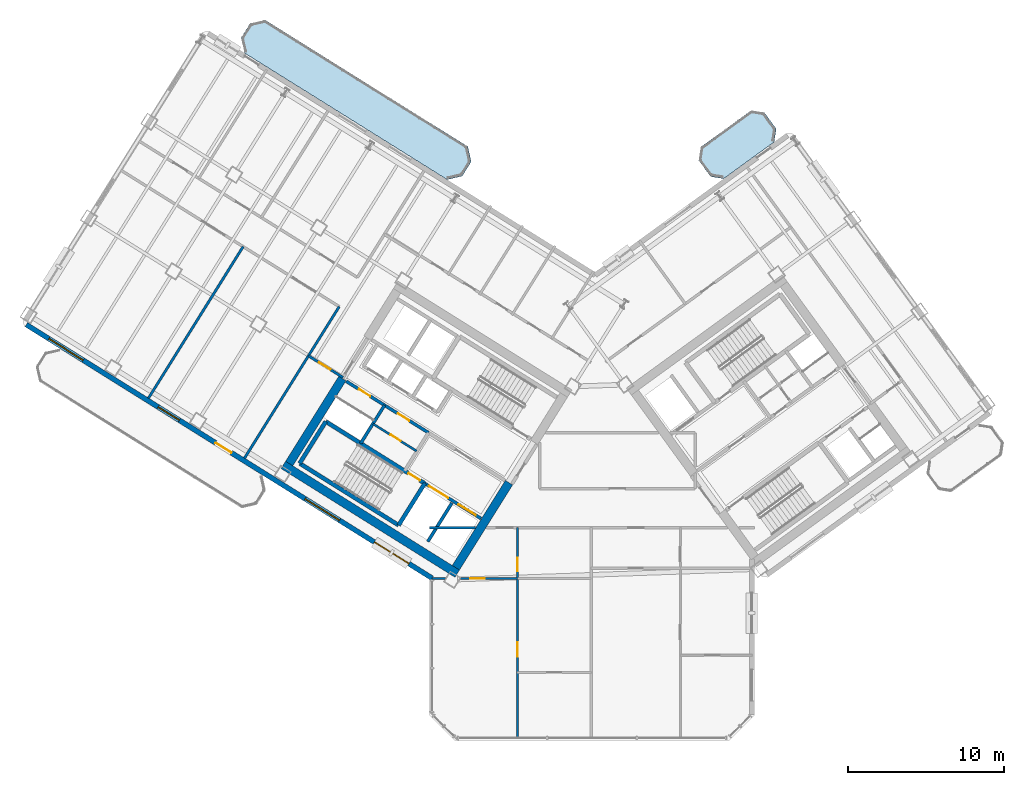
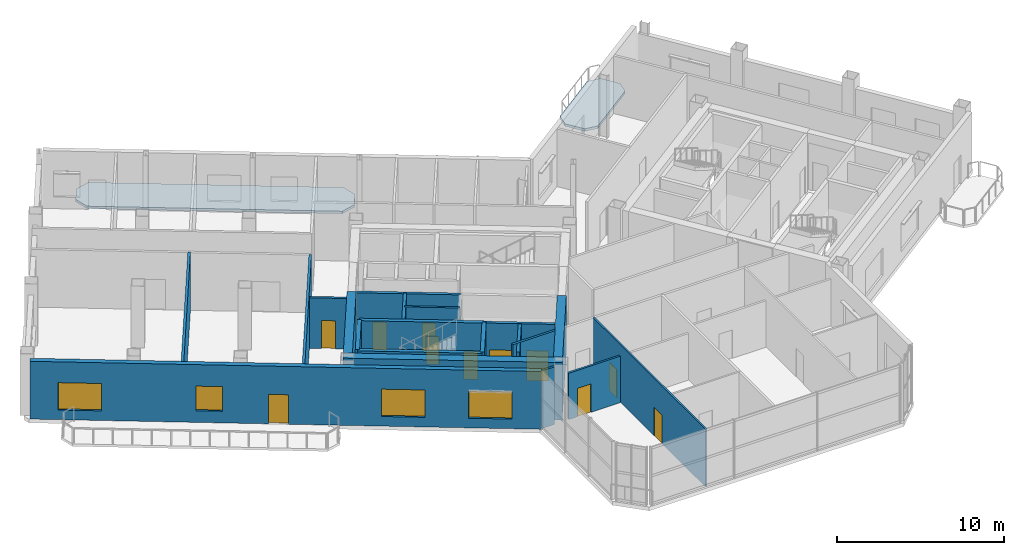
# One storey, part 11 of 20: 20 walls, 11 doors, 4 windows, 2 slabs, 15 openings.
"""IFC4 building model written with IfcOpenShell, lengths in metres."""

from ifc_helpers import new_model, si_unit, direction, frame, frame_2d, origin, place, context, subcontext, project, spatial, polyline, rectangle, outline, extrude, source, transform, mapped, material, layer, layer_set, type_object, element, fill, save


model = new_model("IFC4")

# Units and contexts
model_context = context("Model", 3, precision=1e-05, world=origin(), true_north=direction((0.0, 1.0)))
body_context = subcontext(model_context, "Body", "Model", "MODEL_VIEW")
ifc_project = project(units=[si_unit("LENGTHUNIT", "METRE"), si_unit("AREAUNIT", "SQUARE_METRE"), si_unit("VOLUMEUNIT", "CUBIC_METRE"), si_unit("PLANEANGLEUNIT", "RADIAN"), si_unit("MASSUNIT", "GRAM", prefix="KILO")], contexts=[model_context])

# Site, building, storey
site_placement = place(None, origin())
site = spatial("IfcSite", under=ifc_project, at=site_placement, CompositionType="ELEMENT")
building_placement = place(site_placement, origin())
building = spatial("IfcBuilding", under=site, at=building_placement, Name="Tlacorven Tower", CompositionType="ELEMENT")
storey_placement = place(building_placement, frame((0.0, 0.0, 195.0)))
storey = spatial("IfcBuildingStorey", under=building, at=storey_placement, Name="L49", CompositionType="ELEMENT", Elevation=195.0)

# Slabs
ifc_material_1 = material(Name="Precast concrete C45/55", Category="concrete")
ifc_layer_1 = layer(ifc_material_1, 0.179931640625)
ifc_layer_set_1 = layer_set([ifc_layer_1], Name="Precast concrete C45/55")
slab_type = type_object("IfcSlabType", Name="SL-BAL-180", PredefinedType="USERDEFINED", material=ifc_layer_set_1)
slab_1_placement = place(storey_placement, frame((0.0, 0.0, -0.179931640625)))
element("IfcSlab", 1, at=slab_1_placement, inside=storey, type_object=slab_type, Name="L49 West Wing Balcony Ribbon IN", ObjectType="BALCONY SLAB", PredefinedType="USERDEFINED", context=body_context, shape_type="SweptSolid", body=[
    extrude(outline(polyline([(34.0419921875, 39.835693359375), (21.06689453125, 47.943359375), (20.102294921875, 47.720703125), (19.52197265625, 46.7919921875), (19.744873046875, 45.827392578125), (32.719970703125, 37.7197265625), (33.6845703125, 37.9423828125), (34.2646484375, 38.87109375), (34.0419921875, 39.835693359375)])), origin(), (0.0, 0.0, 1.0), 0.179931640625),
])
slab_2_placement = place(storey_placement, frame((0.0, 0.0, -0.179931640625)))
element("IfcSlab", 2, at=slab_2_placement, inside=storey, type_object=slab_type, Name="L49 East Wing Balcony Ribbon IN", ObjectType="BALCONY SLAB", PredefinedType="USERDEFINED", context=body_context, shape_type="SweptSolid", body=[
    extrude(outline(polyline([(50.433837890625, 37.77880859375), (53.669921875, 40.1298828125), (53.802490234375, 40.968017578125), (53.04150390625, 42.015625), (52.203369140625, 42.1484375), (48.96728515625, 39.79736328125), (48.83447265625, 38.959228515625), (49.595703125, 37.91162109375), (50.433837890625, 37.77880859375)])), origin(), (0.0, 0.0, 1.0), 0.179931640625),
])

# Walls
ifc_material_2 = material(Name="Concrete C60/75", Category="concrete")
ifc_layer_2 = layer(ifc_material_2, 0.550048828125)
ifc_layer_set_2 = layer_set([ifc_layer_2], Name="Concrete C60/75")
wall_type_1 = type_object("IfcWallType", Name="WL-COR-550", PredefinedType="SHEAR", material=ifc_layer_set_2)
wall_1_placement = place(storey_placement, frame((33.3662109375, 12.4765625, 0.0), z_axis=(0.0, 0.0, 1.0), x_axis=(-0.848047359947, 0.529920442413, 0.0)))
element("IfcWall", 3, at=wall_1_placement, inside=storey, type_object=wall_type_1, Name="L49 W core shear wall S2", PredefinedType="SHEAR", context=body_context, shape_type="SweptSolid", body=[
    extrude(rectangle(XDim=13.139892578125, YDim=0.550048828125, at=frame_2d((6.56982421875, 0.0))), origin(), (0.0, 0.0, 1.0), 4.219970703125),
])
wall_2_placement = place(storey_placement, frame((36.683349609375, 18.30419921875, 0.0), z_axis=(0.0, 0.0, 1.0), x_axis=(-0.529896466841, -0.848062341122, 0.0)))
element("IfcWall", 4, at=wall_2_placement, inside=storey, type_object=wall_type_1, Name="L49 W core end wall E1.2", PredefinedType="SHEAR", context=body_context, shape_type="SweptSolid", body=[
    extrude(rectangle(XDim=6.4248046875, YDim=0.550048828125, at=frame_2d((3.21240234375, 0.0))), origin(), (0.0, 0.0, 1.0), 4.219970703125),
])
wall_3_placement = place(storey_placement, frame((26.006591796875, 24.975830078125, 0.0), z_axis=(0.0, 0.0, 1.0), x_axis=(-0.529923795287, -0.848045264823, 0.0)))
element("IfcWall", 5, at=wall_3_placement, inside=storey, type_object=wall_type_1, Name="L49 W core end wall E2.2", PredefinedType="SHEAR", context=body_context, shape_type="SweptSolid", body=[
    extrude(rectangle(XDim=6.425048828125, YDim=0.550048828125, at=frame_2d((3.21240234375, 0.0))), origin(), (0.0, 0.0, 1.0), 4.219970703125),
])

# Wall, opening, door
ifc_material_3 = material(Name="Gypsum plasterboard acoustic partition", Category="gypsum")
ifc_layer_3 = layer(ifc_material_3, 0.159912109375)
ifc_layer_set_3 = layer_set([ifc_layer_3], Name="Gypsum plasterboard acoustic partition")
wall_type_2 = type_object("IfcWallType", Name="WL-DEM-160", PredefinedType="PARTITIONING", material=ifc_layer_set_3)
wall_4_placement = place(storey_placement, frame((26.048828125, 25.043701171875, 0.0), z_axis=(0.0, 0.0, 1.0), x_axis=(-0.848050851465, 0.529914854792, 0.0)))
wall_4 = element("IfcWall", 6, at=wall_4_placement, inside=storey, type_object=wall_type_2, Name="L49 partition 47", PredefinedType="PARTITIONING", context=body_context, shape_type="SweptSolid", body=[
    extrude(rectangle(XDim=2.60986328125, YDim=0.159912109375, at=frame_2d((1.304931640625, 0.0))), origin(), (0.0, 0.0, 1.0), 3.695068359375),
])
opening_1_placement = place(wall_4_placement, frame((0.949951171875, 0.0, 0.0)))
opening_1 = element("IfcOpeningElement", 7, at=opening_1_placement, cuts=wall_4, Name="Opening D19", PredefinedType="OPENING", context=body_context, shape_type="SweptSolid", body=[
    extrude(rectangle(XDim=0.860107421875, YDim=2.050048828125, at=frame_2d((0.43017578125, 1.02490234375))), frame((0.0, 0.08984375, 0.0), z_axis=(0.0, -1.0, 0.0), x_axis=(1.0, 0.0, 0.0)), (0.0, 0.0, 1.0), 0.179931640625),
])
ifc_material_4 = material(Name="Fire-rated steel door assembly", Category="steel")
door_type_1 = type_object("IfcDoorType", Name="DR-RSR-FD60-0860", OperationType="NOTDEFINED", PredefinedType="DOOR", material=ifc_material_4)
shared_shape_1 = source(origin(), body_context, "Body", "SweptSolid", [
    extrude(rectangle(XDim=0.860107421875, YDim=2.050048828125, at=frame_2d((0.43017578125, 1.02490234375))), frame((0.0, 0.02490234375, 0.0), z_axis=(0.0, -1.0, 0.0), x_axis=(1.0, 0.0, 0.0)), (0.0, 0.0, 1.0), 0.050048828125),
])
door_1_placement = place(opening_1_placement, origin())
door_1 = element("IfcDoor", 8, at=door_1_placement, inside=storey, type_object=door_type_1, Name="L49 door 023", OperationType="SINGLE_SWING_RIGHT", OverallHeight=2.050048828125, OverallWidth=0.860107421875, PredefinedType="DOOR", context=body_context, shape_type="MappedRepresentation", body=[
    mapped(shared_shape_1, transform((0.0, 0.0, 0.0), scale=1.0)),
])
fill(opening_1, door_1)

# Walls
for number, where, z_axis, x_axis, name in (
    (9, (25.806884765625, 29.58154296875, 0.0), (0.0, 0.0, 1.0), (-0.529920357077, -0.848047413271, 0.0), "L49 partition 49"),
    (10, (19.654296875, 33.426025390625, 0.0), (0.0, 0.0, 1.0), (-0.529920357077, -0.848047413271, 0.0), "L49 partition 53"),
):
    element("IfcWall", number, at=place(storey_placement, frame(where, z_axis=z_axis, x_axis=x_axis)), inside=storey, type_object=wall_type_2, Name=name, PredefinedType="PARTITIONING", context=body_context, shape_type="SweptSolid", body=[
        extrude(rectangle(XDim=11.4501953125, YDim=0.159912109375, at=frame_2d((5.72509765625, 0.0))), origin(), (0.0, 0.0, 1.0), 4.2099609375),
    ])
wall_5_placement = place(storey_placement, frame((31.60009765625, 15.419921875, 0.0), z_axis=(0.0, 0.0, 1.0), x_axis=(1.0, 0.0, 0.0)))
element("IfcWall", 11, at=wall_5_placement, inside=storey, type_object=wall_type_2, Name="L49 Knuckle Corridor South Wall", PredefinedType="PARTITIONING", context=body_context, shape_type="SweptSolid", body=[
    extrude(rectangle(XDim=2.925048828125, YDim=0.159912109375, at=frame_2d((1.46240234375, 0.0))), origin(), (0.0, 0.0, 1.0), 4.2099609375),
])

# Wall, openings, door, windows
ifc_layer_4 = layer(ifc_material_1, 0.320068359375)
ifc_layer_set_4 = layer_set([ifc_layer_4], Name="Precast concrete C45/55")
wall_type_3 = type_object("IfcWallType", Name="WL-EXT-320", PredefinedType="STANDARD", material=ifc_layer_set_4)
wall_6_placement = place(storey_placement, frame((31.760009765625, 12.18310546875, 0.0), z_axis=(0.0, 0.0, 1.0), x_axis=(-0.848047074256, 0.529920899612, 0.0)))
wall_6 = element("IfcWall", 12, at=wall_6_placement, inside=storey, type_object=wall_type_3, Name="L49 Masonry-Frame Recessed Facade Wall 1", PredefinedType="STANDARD", context=body_context, shape_type="SweptSolid", body=[
    extrude(rectangle(XDim=30.652099609375, YDim=0.320068359375, at=frame_2d((15.326171875, 0.0))), origin(), (0.0, 0.0, 1.0), 4.219970703125),
])
opening_2_placement = place(wall_6_placement, frame((15.165771484375, 0.0, 0.0)))
opening_2 = element("IfcOpeningElement", 13, at=opening_2_placement, cuts=wall_6, Name="Opening D05", PredefinedType="OPENING", context=body_context, shape_type="SweptSolid", body=[
    extrude(rectangle(XDim=1.199951171875, YDim=2.14990234375, at=frame_2d((0.60009765625, 1.074951171875))), frame((0.0, 0.169921875, 0.0), z_axis=(0.0, -1.0, 0.0), x_axis=(1.0, 0.0, 0.0)), (0.0, 0.0, 1.0), 0.340087890625),
])
opening_3_placement = place(wall_6_placement, frame((1.7646484375, 0.0, 0.699951171875)))
opening_3 = element("IfcOpeningElement", 14, at=opening_3_placement, cuts=wall_6, Name="Opening WN10", PredefinedType="OPENING", context=body_context, shape_type="SweptSolid", body=[
    extrude(rectangle(XDim=2.60009765625, YDim=2.0, at=frame_2d((1.300048828125, 1.0))), frame((0.0, 0.169921875, 0.0), z_axis=(0.0, -1.0, 0.0), x_axis=(1.0, 0.0, 0.0)), (0.0, 0.0, 1.0), 0.340087890625),
])
opening_4_placement = place(wall_6_placement, frame((6.993896484375, 0.0, 0.699951171875)))
opening_4 = element("IfcOpeningElement", 15, at=opening_4_placement, cuts=wall_6, Name="Opening WN10", PredefinedType="OPENING", context=body_context, shape_type="SweptSolid", body=[
    extrude(rectangle(XDim=2.60009765625, YDim=2.0, at=frame_2d((1.300048828125, 1.0))), frame((0.0, 0.169921875, 0.0), z_axis=(0.0, -1.0, 0.0), x_axis=(1.0, 0.0, 0.0)), (0.0, 0.0, 1.0), 0.340087890625),
])
opening_5_placement = place(wall_6_placement, frame((19.100830078125, 0.0, 0.85009765625)))
opening_5 = element("IfcOpeningElement", 16, at=opening_5_placement, cuts=wall_6, Name="Opening WN12", PredefinedType="OPENING", context=body_context, shape_type="SweptSolid", body=[
    extrude(rectangle(XDim=1.60009765625, YDim=1.800048828125, at=frame_2d((0.800048828125, 0.89990234375))), frame((0.0, 0.169921875, 0.0), z_axis=(0.0, -1.0, 0.0), x_axis=(1.0, 0.0, 0.0)), (0.0, 0.0, 1.0), 0.340087890625),
])
opening_6_placement = place(wall_6_placement, frame((26.3583984375, 0.0, 0.699951171875)))
opening_6 = element("IfcOpeningElement", 17, at=opening_6_placement, cuts=wall_6, Name="Opening WN10", PredefinedType="OPENING", context=body_context, shape_type="SweptSolid", body=[
    extrude(rectangle(XDim=2.60009765625, YDim=2.0, at=frame_2d((1.300048828125, 1.0))), frame((0.0, 0.169921875, 0.0), z_axis=(0.0, -1.0, 0.0), x_axis=(1.0, 0.0, 0.0)), (0.0, 0.0, 1.0), 0.340087890625),
])
ifc_material_5 = material(Name="Powder-coated aluminium and timber door", Category="wood")
door_type_2 = type_object("IfcDoorType", Name="DR-EXT-BALC-1200", OperationType="NOTDEFINED", PredefinedType="DOOR", material=ifc_material_5)
shared_shape_2 = source(origin(), body_context, "Body", "SweptSolid", [
    extrude(rectangle(XDim=1.199951171875, YDim=2.14990234375, at=frame_2d((0.60009765625, 1.074951171875))), frame((0.0, 0.02490234375, 0.0), z_axis=(0.0, -1.0, 0.0), x_axis=(1.0, 0.0, 0.0)), (0.0, 0.0, 1.0), 0.050048828125),
])
door_2_placement = place(opening_2_placement, origin())
door_2 = element("IfcDoor", 18, at=door_2_placement, inside=storey, type_object=door_type_2, Name="L49 Outdoor Access Door BAL-L49-W-OUT", OperationType="SINGLE_SWING_LEFT", OverallHeight=2.14990234375, OverallWidth=1.199951171875, PredefinedType="DOOR", context=body_context, shape_type="MappedRepresentation", body=[
    mapped(shared_shape_2, transform((0.0, 0.0, 0.0), scale=1.0)),
])
fill(opening_2, door_2)
ifc_material_6 = material(Name="Dark solar low-E double glazing in anodised aluminium frame", Category="aluminium")
window_type_1 = type_object("IfcWindowType", Name="WN-COM-2600X2200", PartitioningType="SINGLE_PANEL", PredefinedType="WINDOW", material=ifc_material_6)
shared_shape_3 = source(origin(), body_context, "Body", "SweptSolid", [
    extrude(rectangle(XDim=2.60009765625, YDim=2.0, at=frame_2d((1.300048828125, 1.0))), frame((0.0, 0.030029296875, 0.0), z_axis=(0.0, -1.0, 0.0), x_axis=(1.0, 0.0, 0.0)), (0.0, 0.0, 1.0), 0.06005859375),
])
window_1_placement = place(opening_3_placement, origin())
window_1 = element("IfcWindow", 19, at=window_1_placement, inside=storey, type_object=window_type_1, Name="L49 Recessed Masonry-Frame Window L49-01.1", OverallHeight=2.0, OverallWidth=2.60009765625, PartitioningType="SINGLE_PANEL", PredefinedType="WINDOW", context=body_context, shape_type="MappedRepresentation", body=[
    mapped(shared_shape_3, transform((0.0, 0.0, 0.0), scale=1.0)),
])
fill(opening_3, window_1)
window_2_placement = place(opening_4_placement, origin())
window_2 = element("IfcWindow", 20, at=window_2_placement, inside=storey, type_object=window_type_1, Name="L49 Recessed Masonry-Frame Window L49-01.2", OverallHeight=2.0, OverallWidth=2.60009765625, PartitioningType="SINGLE_PANEL", PredefinedType="WINDOW", context=body_context, shape_type="MappedRepresentation", body=[
    mapped(shared_shape_3, transform((0.0, 0.0, 0.0), scale=1.0)),
])
fill(opening_4, window_2)
window_3_placement = place(opening_6_placement, origin())
window_3 = element("IfcWindow", 21, at=window_3_placement, inside=storey, type_object=window_type_1, Name="L49 Recessed Masonry-Frame Window L49-01.4", OverallHeight=2.0, OverallWidth=2.60009765625, PartitioningType="SINGLE_PANEL", PredefinedType="WINDOW", context=body_context, shape_type="MappedRepresentation", body=[
    mapped(shared_shape_3, transform((0.0, 0.0, 0.0), scale=1.0)),
])
fill(opening_6, window_3)
window_type_2 = type_object("IfcWindowType", Name="WN-COM-1600X1900", PartitioningType="SINGLE_PANEL", PredefinedType="WINDOW", material=ifc_material_6)
shared_shape_4 = source(origin(), body_context, "Body", "SweptSolid", [
    extrude(rectangle(XDim=1.60009765625, YDim=1.800048828125, at=frame_2d((0.800048828125, 0.89990234375))), frame((0.0, 0.030029296875, 0.0), z_axis=(0.0, -1.0, 0.0), x_axis=(1.0, 0.0, 0.0)), (0.0, 0.0, 1.0), 0.06005859375),
])
window_4_placement = place(opening_5_placement, origin())
window_4 = element("IfcWindow", 22, at=window_4_placement, inside=storey, type_object=window_type_2, Name="L49 Recessed Masonry-Frame Window L49-01.3", OverallHeight=1.800048828125, OverallWidth=1.60009765625, PartitioningType="SINGLE_PANEL", PredefinedType="WINDOW", context=body_context, shape_type="MappedRepresentation", body=[
    mapped(shared_shape_4, transform((0.0, 0.0, 0.0), scale=1.0)),
])
fill(opening_5, window_4)

# Wall, openings, doors
ifc_material_7 = material(Name="Gypsum plasterboard partition", Category="gypsum")
ifc_layer_5 = layer(ifc_material_7, 0.110107421875)
ifc_layer_set_5 = layer_set([ifc_layer_5], Name="Gypsum plasterboard partition")
wall_type_4 = type_object("IfcWallType", Name="WL-INT-110", PredefinedType="PARTITIONING", material=ifc_layer_set_5)
wall_7_placement = place(storey_placement, frame((37.221923828125, 1.9599609375, 0.0), z_axis=(0.0, 0.0, 1.0), x_axis=(0.0, 1.0, 0.0)))
wall_7 = element("IfcWall", 23, at=wall_7_placement, inside=storey, type_object=wall_type_4, Name="L49 partition 70", PredefinedType="PARTITIONING", context=body_context, shape_type="SweptSolid", body=[
    extrude(rectangle(XDim=13.4599609375, YDim=0.110107421875, at=frame_2d((6.72998046875, 0.0))), origin(), (0.0, 0.0, 1.0), 4.2099609375),
])
opening_7_placement = place(wall_7_placement, frame((5.199951171875, 0.0, 0.0)))
opening_7 = element("IfcOpeningElement", 24, at=opening_7_placement, cuts=wall_7, Name="Opening D12", PredefinedType="OPENING", context=body_context, shape_type="SweptSolid", body=[
    extrude(rectangle(XDim=0.919921875, YDim=2.080078125, at=frame_2d((0.4599609375, 1.0400390625))), frame((0.0, 0.06494140625, 0.0), z_axis=(0.0, -1.0, 0.0), x_axis=(1.0, 0.0, 0.0)), (0.0, 0.0, 1.0), 0.130126953125),
])
opening_8_placement = place(wall_7_placement, frame((10.669921875, 0.0, 0.0)))
opening_8 = element("IfcOpeningElement", 25, at=opening_8_placement, cuts=wall_7, Name="Opening D13", PredefinedType="OPENING", context=body_context, shape_type="SweptSolid", body=[
    extrude(rectangle(XDim=0.8798828125, YDim=2.080078125, at=frame_2d((0.43994140625, 1.0400390625))), frame((0.0, 0.06494140625, 0.0), z_axis=(0.0, -1.0, 0.0), x_axis=(1.0, 0.0, 0.0)), (0.0, 0.0, 1.0), 0.130126953125),
])
door_type_3 = type_object("IfcDoorType", Name="DR-INT-WET-0880", OperationType="NOTDEFINED", PredefinedType="DOOR", material=ifc_material_5)
shared_shape_5 = source(origin(), body_context, "Body", "SweptSolid", [
    extrude(rectangle(XDim=0.8798828125, YDim=2.080078125, at=frame_2d((0.43994140625, 1.0400390625))), frame((0.0, 0.02490234375, 0.0), z_axis=(0.0, -1.0, 0.0), x_axis=(1.0, 0.0, 0.0)), (0.0, 0.0, 1.0), 0.050048828125),
])
door_3_placement = place(opening_8_placement, origin())
door_3 = element("IfcDoor", 26, at=door_3_placement, inside=storey, type_object=door_type_3, Name="L49 door 042", OperationType="SINGLE_SWING_RIGHT", OverallHeight=2.080078125, OverallWidth=0.8798828125, PredefinedType="DOOR", context=body_context, shape_type="MappedRepresentation", body=[
    mapped(shared_shape_5, transform((0.0, 0.0, 0.0), scale=1.0)),
])
fill(opening_8, door_3)
door_type_4 = type_object("IfcDoorType", Name="DR-INT-ROOM-0920", OperationType="NOTDEFINED", PredefinedType="DOOR", material=ifc_material_5)
shared_shape_6 = source(origin(), body_context, "Body", "SweptSolid", [
    extrude(rectangle(XDim=0.919921875, YDim=2.080078125, at=frame_2d((0.4599609375, 1.0400390625))), frame((0.0, 0.02490234375, 0.0), z_axis=(0.0, -1.0, 0.0), x_axis=(1.0, 0.0, 0.0)), (0.0, 0.0, 1.0), 0.050048828125),
])
door_4_placement = place(opening_7_placement, origin())
door_4 = element("IfcDoor", 27, at=door_4_placement, inside=storey, type_object=door_type_4, Name="L49 door 038", OperationType="SINGLE_SWING_RIGHT", OverallHeight=2.080078125, OverallWidth=0.919921875, PredefinedType="DOOR", context=body_context, shape_type="MappedRepresentation", body=[
    mapped(shared_shape_6, transform((0.0, 0.0, 0.0), scale=1.0)),
])
fill(opening_7, door_4)

# Wall, opening, door
ifc_material_8 = material(Name="Moisture-resistant gypsum plumbing wall", Category="gypsum")
ifc_layer_6 = layer(ifc_material_8, 0.139892578125)
ifc_layer_set_6 = layer_set([ifc_layer_6], Name="Moisture-resistant gypsum plumbing wall")
wall_type_5 = type_object("IfcWallType", Name="WL-PLM-140", PredefinedType="PLUMBINGWALL", material=ifc_layer_set_6)
wall_8_placement = place(storey_placement, frame((30.766357421875, 20.3271484375, 0.0), z_axis=(0.0, 0.0, 1.0), x_axis=(-0.848052663127, 0.529911955482, 0.0)))
wall_8 = element("IfcWall", 28, at=wall_8_placement, inside=storey, type_object=wall_type_5, Name="L49 partition 23", PredefinedType="PLUMBINGWALL", context=body_context, shape_type="SweptSolid", body=[
    extrude(rectangle(XDim=3.27978515625, YDim=0.139892578125, at=frame_2d((1.639892578125, 0.0))), origin(), (0.0, 0.0, 1.0), 4.2099609375),
])
opening_9_placement = place(wall_8_placement, frame((1.199951171875, 0.0, 0.0)))
opening_9 = element("IfcOpeningElement", 29, at=opening_9_placement, cuts=wall_8, Name="Opening D22", PredefinedType="OPENING", context=body_context, shape_type="SweptSolid", body=[
    extrude(rectangle(XDim=0.780029296875, YDim=2.050048828125, at=frame_2d((0.39013671875, 1.02490234375))), frame((0.0, 0.080078125, 0.0), z_axis=(0.0, -1.0, 0.0), x_axis=(1.0, 0.0, 0.0)), (0.0, 0.0, 1.0), 0.159912109375),
])
door_type_5 = type_object("IfcDoorType", Name="DR-INT-WET-0780", OperationType="NOTDEFINED", PredefinedType="DOOR", material=ifc_material_5)
shared_shape_7 = source(origin(), body_context, "Body", "SweptSolid", [
    extrude(rectangle(XDim=0.780029296875, YDim=2.050048828125, at=frame_2d((0.39013671875, 1.02490234375))), frame((0.0, 0.02490234375, 0.0), z_axis=(0.0, -1.0, 0.0), x_axis=(1.0, 0.0, 0.0)), (0.0, 0.0, 1.0), 0.050048828125),
])
door_5_placement = place(opening_9_placement, origin())
door_5 = element("IfcDoor", 30, at=door_5_placement, inside=storey, type_object=door_type_5, Name="L49 door 011", OperationType="SINGLE_SWING_RIGHT", OverallHeight=2.050048828125, OverallWidth=0.780029296875, PredefinedType="DOOR", context=body_context, shape_type="MappedRepresentation", body=[
    mapped(shared_shape_7, transform((0.0, 0.0, 0.0), scale=1.0)),
])
fill(opening_9, door_5)

# Wall
wall_9_placement = place(storey_placement, frame((31.739990234375, 12.169921875, 0.0), z_axis=(0.0, 0.0, 1.0), x_axis=(1.0, 0.0, 0.0)))
element("IfcWall", 31, at=wall_9_placement, inside=storey, type_object=wall_type_5, Name="L49 partition 71", PredefinedType="PLUMBINGWALL", context=body_context, shape_type="SweptSolid", body=[
    extrude(rectangle(XDim=0.872314453125, YDim=0.139892578125, at=frame_2d((0.43603515625, 0.0))), origin(), (0.0, 0.0, 1.0), 4.2099609375),
])

# Wall, opening, door
wall_10_placement = place(storey_placement, frame((33.583984375, 12.169921875, 0.0), z_axis=(0.0, 0.0, 1.0), x_axis=(1.0, 0.0, 0.0)))
wall_10 = element("IfcWall", 32, at=wall_10_placement, inside=storey, type_object=wall_type_5, Name="L49 partition 71", PredefinedType="PLUMBINGWALL", context=body_context, shape_type="SweptSolid", body=[
    extrude(rectangle(XDim=3.637939453125, YDim=0.139892578125, at=frame_2d((1.81884765625, 0.0))), origin(), (0.0, 0.0, 1.0), 3.39501953125),
])
opening_10_placement = place(wall_10_placement, frame((0.6171875, 0.0, 0.0)))
opening_10 = element("IfcOpeningElement", 33, at=opening_10_placement, cuts=wall_10, Name="Opening D12", PredefinedType="OPENING", context=body_context, shape_type="SweptSolid", body=[
    extrude(rectangle(XDim=0.919921875, YDim=2.080078125, at=frame_2d((0.4599609375, 1.0400390625))), frame((0.0, 0.080078125, 0.0), z_axis=(0.0, -1.0, 0.0), x_axis=(1.0, 0.0, 0.0)), (0.0, 0.0, 1.0), 0.159912109375),
])
door_6_placement = place(opening_10_placement, frame((0.919921875, 0.0, 0.0), z_axis=(0.0, 0.0, 1.0), x_axis=(-1.0, 0.0, 0.0)))
door_6 = element("IfcDoor", 34, at=door_6_placement, inside=storey, type_object=door_type_4, Name="L49 door 041", OperationType="SINGLE_SWING_RIGHT", OverallHeight=2.080078125, OverallWidth=0.919921875, PredefinedType="DOOR", context=body_context, shape_type="MappedRepresentation", body=[
    mapped(shared_shape_6, transform((0.0, 0.0, 0.0), scale=1.0)),
])
fill(opening_10, door_6)

# Wall, openings, doors
ifc_material_9 = material(Name="Concrete C40/50", Category="concrete")
ifc_layer_7 = layer(ifc_material_9, 0.199951171875)
ifc_layer_set_7 = layer_set([ifc_layer_7], Name="Concrete C40/50")
wall_type_6 = type_object("IfcWallType", Name="WL-SHF-200", PredefinedType="STANDARD", material=ifc_layer_set_7)
wall_11_placement = place(storey_placement, frame((34.890625, 16.0048828125, 0.0), z_axis=(0.0, 0.0, 1.0), x_axis=(-0.848062873452, 0.529895614884, 0.0)))
wall_11 = element("IfcWall", 35, at=wall_11_placement, inside=storey, type_object=wall_type_6, Name="L49 Core W Firefighting Lift Shaft Front Wall", PredefinedType="STANDARD", context=body_context, shape_type="SweptSolid", body=[
    extrude(rectangle(XDim=4.248046875, YDim=0.199951171875, at=frame_2d((2.1240234375, 0.0))), origin(), (0.0, 0.0, 1.0), 4.2099609375),
])
opening_11_placement = place(wall_11_placement, frame((0.39794921875, 0.0, 0.0)))
opening_11 = element("IfcOpeningElement", 36, at=opening_11_placement, cuts=wall_11, Name="Opening LD03", PredefinedType="OPENING", context=body_context, shape_type="SweptSolid", body=[
    extrude(rectangle(XDim=1.300048828125, YDim=2.199951171875, at=frame_2d((0.64990234375, 1.10009765625))), frame((0.0, 0.10986328125, 0.0), z_axis=(0.0, -1.0, 0.0), x_axis=(1.0, 0.0, 0.0)), (0.0, 0.0, 1.0), 0.219970703125),
])
opening_12_placement = place(wall_11_placement, frame((2.472900390625, 0.0, 0.0)))
opening_12 = element("IfcOpeningElement", 37, at=opening_12_placement, cuts=wall_11, Name="Opening LD04", PredefinedType="OPENING", context=body_context, shape_type="SweptSolid", body=[
    extrude(rectangle(XDim=1.449951171875, YDim=2.25, at=frame_2d((0.72509765625, 1.125))), frame((0.0, 0.10986328125, 0.0), z_axis=(0.0, -1.0, 0.0), x_axis=(1.0, 0.0, 0.0)), (0.0, 0.0, 1.0), 0.219970703125),
])
door_type_6 = type_object("IfcDoorType", Name="DR-LFT-SLID-1300", OperationType="DOUBLE_DOOR_SLIDING", PredefinedType="DOOR", material=ifc_material_4)
shared_shape_8 = source(origin(), body_context, "Body", "SweptSolid", [
    extrude(rectangle(XDim=1.300048828125, YDim=2.199951171875, at=frame_2d((0.64990234375, 1.10009765625))), frame((0.0, 0.02490234375, 0.0), z_axis=(0.0, -1.0, 0.0), x_axis=(1.0, 0.0, 0.0)), (0.0, 0.0, 1.0), 0.050048828125),
])
door_7_placement = place(opening_11_placement, origin())
door_7 = element("IfcDoor", 38, at=door_7_placement, inside=storey, type_object=door_type_6, Name="L49 Lift FFL-W1 Sliding Landing Door", OperationType="DOUBLE_DOOR_SLIDING", OverallHeight=2.199951171875, OverallWidth=1.300048828125, PredefinedType="DOOR", context=body_context, shape_type="MappedRepresentation", body=[
    mapped(shared_shape_8, transform((0.0, 0.0, 0.0), scale=1.0)),
])
fill(opening_11, door_7)
door_type_7 = type_object("IfcDoorType", Name="DR-LFT-SLID-1450", OperationType="DOUBLE_DOOR_SLIDING", PredefinedType="DOOR", material=ifc_material_4)
shared_shape_9 = source(origin(), body_context, "Body", "SweptSolid", [
    extrude(rectangle(XDim=1.449951171875, YDim=2.25, at=frame_2d((0.72509765625, 1.125))), frame((0.0, 0.02490234375, 0.0), z_axis=(0.0, -1.0, 0.0), x_axis=(1.0, 0.0, 0.0)), (0.0, 0.0, 1.0), 0.050048828125),
])
door_8_placement = place(opening_12_placement, origin())
door_8 = element("IfcDoor", 39, at=door_8_placement, inside=storey, type_object=door_type_7, Name="L49 Lift SVL-W1 Sliding Landing Door", OperationType="DOUBLE_DOOR_SLIDING", OverallHeight=2.25, OverallWidth=1.449951171875, PredefinedType="DOOR", context=body_context, shape_type="MappedRepresentation", body=[
    mapped(shared_shape_9, transform((0.0, 0.0, 0.0), scale=1.0)),
])
fill(opening_12, door_8)

# Walls
wall_12_placement = place(storey_placement, frame((33.02880859375, 17.003173828125, 0.0), z_axis=(0.0, 0.0, 1.0), x_axis=(-0.529916267533, -0.848049968695, 0.0)))
element("IfcWall", 40, at=wall_12_placement, inside=storey, type_object=wall_type_6, Name="L49 partition 14", PredefinedType="STANDARD", context=body_context, shape_type="SweptSolid", body=[
    extrude(rectangle(XDim=2.919921875, YDim=0.199951171875, at=frame_2d((1.4599609375, 0.0))), origin(), (0.0, 0.0, 1.0), 4.2099609375),
])
wall_13_placement = place(storey_placement, frame((28.709716796875, 23.26318359375, 0.0), z_axis=(0.0, 0.0, 1.0), x_axis=(-0.529907497854, -0.848055448493, 0.0)))
element("IfcWall", 41, at=wall_13_placement, inside=storey, type_object=wall_type_6, Name="L49 partition 21", PredefinedType="STANDARD", context=body_context, shape_type="SweptSolid", body=[
    extrude(rectangle(XDim=2.8798828125, YDim=0.199951171875, at=frame_2d((1.43994140625, 0.0))), origin(), (0.0, 0.0, 1.0), 4.2099609375),
])

# Wall, openings, doors
wall_14_placement = place(storey_placement, frame((31.525146484375, 21.503662109375, 0.0), z_axis=(0.0, 0.0, 1.0), x_axis=(-0.848040211232, 0.529931882541, 0.0)))
wall_14 = element("IfcWall", 42, at=wall_14_placement, inside=storey, type_object=wall_type_6, Name="L49 Core W North Service Wall", PredefinedType="STANDARD", context=body_context, shape_type="SweptSolid", body=[
    extrude(rectangle(XDim=6.218017578125, YDim=0.199951171875, at=frame_2d((3.10888671875, 0.0))), origin(), (0.0, 0.0, 1.0), 4.2099609375),
])
opening_13_placement = place(wall_14_placement, frame((4.39990234375, 0.0, 0.0)))
opening_13 = element("IfcOpeningElement", 43, at=opening_13_placement, cuts=wall_14, Name="Opening D19", PredefinedType="OPENING", context=body_context, shape_type="SweptSolid", body=[
    extrude(rectangle(XDim=0.860107421875, YDim=2.050048828125, at=frame_2d((0.43017578125, 1.02490234375))), frame((0.0, 0.10986328125, 0.0), z_axis=(0.0, -1.0, 0.0), x_axis=(1.0, 0.0, 0.0)), (0.0, 0.0, 1.0), 0.219970703125),
])
opening_14_placement = place(wall_14_placement, frame((1.449951171875, 0.0, 0.0)))
opening_14 = element("IfcOpeningElement", 44, at=opening_14_placement, cuts=wall_14, Name="Opening D19", PredefinedType="OPENING", context=body_context, shape_type="SweptSolid", body=[
    extrude(rectangle(XDim=0.860107421875, YDim=2.050048828125, at=frame_2d((0.43017578125, 1.02490234375))), frame((0.0, 0.10986328125, 0.0), z_axis=(0.0, -1.0, 0.0), x_axis=(1.0, 0.0, 0.0)), (0.0, 0.0, 1.0), 0.219970703125),
])
door_9_placement = place(opening_13_placement, frame((0.860107421875, 0.0, 0.0), z_axis=(0.0, 0.0, 1.0), x_axis=(-1.0, 0.0, 0.0)))
door_9 = element("IfcDoor", 45, at=door_9_placement, inside=storey, type_object=door_type_1, Name="L49 Electrical Riser Access Door W", OperationType="SINGLE_SWING_RIGHT", OverallHeight=2.050048828125, OverallWidth=0.860107421875, PredefinedType="DOOR", context=body_context, shape_type="MappedRepresentation", body=[
    mapped(shared_shape_1, transform((0.0, 0.0, 0.0), scale=1.0)),
])
fill(opening_13, door_9)
door_10_placement = place(opening_14_placement, frame((0.860107421875, 0.0, 0.0), z_axis=(0.0, 0.0, 1.0), x_axis=(-1.0, 0.0, 0.0)))
door_10 = element("IfcDoor", 46, at=door_10_placement, inside=storey, type_object=door_type_1, Name="L49 Cleaner Store Access Door W", OperationType="SINGLE_SWING_LEFT", OverallHeight=2.050048828125, OverallWidth=0.860107421875, PredefinedType="DOOR", context=body_context, shape_type="MappedRepresentation", body=[
    mapped(shared_shape_1, transform((0.0, 0.0, 0.0), scale=1.0)),
])
fill(opening_14, door_10)

# Wall
ifc_material_10 = material(Name="Concrete C50/60", Category="concrete")
ifc_layer_8 = layer(ifc_material_10, 0.260009765625)
ifc_layer_set_8 = layer_set([ifc_layer_8], Name="Concrete C50/60")
wall_type_7 = type_object("IfcWallType", Name="WL-STW-260", PredefinedType="SHEAR", material=ifc_layer_set_8)
wall_15_placement = place(storey_placement, frame((29.60498046875, 15.581298828125, 0.0), z_axis=(0.0, 0.0, 1.0), x_axis=(-0.848036911448, 0.529937163087, 0.0)))
element("IfcWall", 47, at=wall_15_placement, inside=storey, type_object=wall_type_7, Name="L49 Stair W1 Far Shear Wall", PredefinedType="SHEAR", context=body_context, shape_type="SweptSolid", body=[
    extrude(rectangle(XDim=7.4599609375, YDim=0.260009765625, at=frame_2d((3.72998046875, 0.0))), origin(), (0.0, 0.0, 1.0), 4.219970703125),
])

# Wall, opening, door
wall_16_placement = place(storey_placement, frame((31.279541015625, 18.26123046875, 0.0), z_axis=(0.0, 0.0, 1.0), x_axis=(-0.848051618787, 0.529913626805, 0.0)))
wall_16 = element("IfcWall", 48, at=wall_16_placement, inside=storey, type_object=wall_type_7, Name="L49 Stair W1 Lobby Shear Wall", PredefinedType="SHEAR", context=body_context, shape_type="SweptSolid", body=[
    extrude(rectangle(XDim=7.4599609375, YDim=0.260009765625, at=frame_2d((3.72998046875, 0.0))), origin(), (0.0, 0.0, 1.0), 4.219970703125),
])
opening_15_placement = place(wall_16_placement, frame((0.360107421875, 0.0, 0.0)))
opening_15 = element("IfcOpeningElement", 49, at=opening_15_placement, cuts=wall_16, Name="Opening D19", PredefinedType="OPENING", context=body_context, shape_type="SweptSolid", body=[
    extrude(rectangle(XDim=0.860107421875, YDim=2.050048828125, at=frame_2d((0.43017578125, 1.02490234375))), frame((0.0, 0.14013671875, 0.0), z_axis=(0.0, -1.0, 0.0), x_axis=(1.0, 0.0, 0.0)), (0.0, 0.0, 1.0), 0.280029296875),
])
door_11_placement = place(opening_15_placement, frame((0.860107421875, 0.0, 0.0), z_axis=(0.0, 0.0, 1.0), x_axis=(-1.0, 0.0, 0.0)))
door_11 = element("IfcDoor", 50, at=door_11_placement, inside=storey, type_object=door_type_1, Name="L49 Exit Stair W1 Fire Door", OperationType="SINGLE_SWING_LEFT", OverallHeight=2.050048828125, OverallWidth=0.860107421875, PredefinedType="DOOR", context=body_context, shape_type="MappedRepresentation", body=[
    mapped(shared_shape_1, transform((0.0, 0.0, 0.0), scale=1.0)),
])
fill(opening_15, door_11)

# Walls
wall_17_placement = place(storey_placement, frame((31.2880859375, 18.255859375, 0.0), z_axis=(0.0, 0.0, 1.0), x_axis=(-0.529943379326, -0.848033026897, 0.0)))
element("IfcWall", 51, at=wall_17_placement, inside=storey, type_object=wall_type_7, Name="L49 Stair W1 West Shear Wall", PredefinedType="SHEAR", context=body_context, shape_type="SweptSolid", body=[
    extrude(rectangle(XDim=3.159912109375, YDim=0.260009765625, at=frame_2d((1.580078125, 0.0))), origin(), (0.0, 0.0, 1.0), 4.219970703125),
])
wall_18_placement = place(storey_placement, frame((24.944580078125, 22.2197265625, 0.0), z_axis=(0.0, 0.0, 1.0), x_axis=(-0.529908658664, -0.84805472316, 0.0)))
element("IfcWall", 52, at=wall_18_placement, inside=storey, type_object=wall_type_7, Name="L49 Stair W1 East Shear Wall", PredefinedType="SHEAR", context=body_context, shape_type="SweptSolid", body=[
    extrude(rectangle(XDim=3.16015625, YDim=0.260009765625, at=frame_2d((1.580078125, 0.0))), origin(), (0.0, 0.0, 1.0), 4.219970703125),
])

save(model, "model.ifc")
